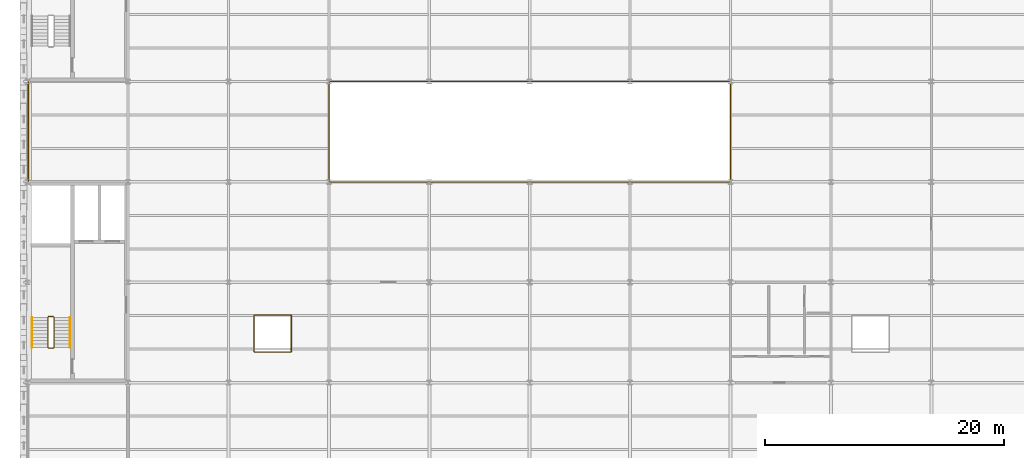
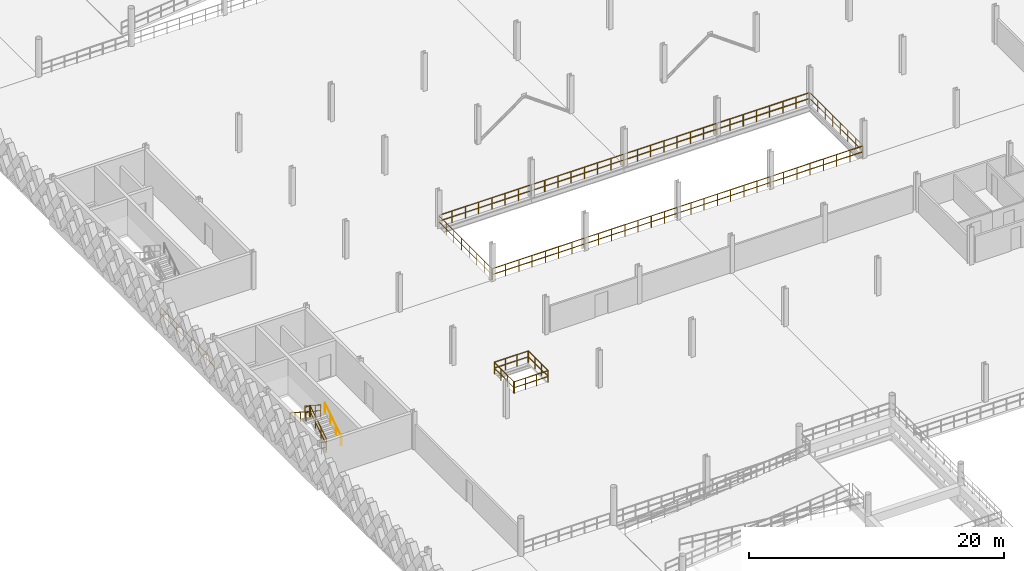
# One storey, part 71 of 79: 15 railings.
"""IFC4 building model written with IfcOpenShell, lengths in metres."""

from ifc_helpers import new_model, si_unit, direction, frame, origin, origin_2d, place, context, subcontext, project, spatial, circle, extrude, material, type_object, element, save


model = new_model("IFC4")

# Units and contexts
model_context = context("Model", 3, precision=1e-05, world=origin(), true_north=direction((0.0, 1.0)))
body_context = subcontext(model_context, "Body", "Model", "MODEL_VIEW")
ifc_project = project(units=[si_unit("LENGTHUNIT", "METRE"), si_unit("AREAUNIT", "SQUARE_METRE"), si_unit("VOLUMEUNIT", "CUBIC_METRE"), si_unit("PLANEANGLEUNIT", "RADIAN"), si_unit("MASSUNIT", "GRAM", prefix="KILO"), si_unit("THERMODYNAMICTEMPERATUREUNIT", "KELVIN"), si_unit("POWERUNIT", "WATT")], contexts=[model_context])

# Site, building, storey
site_placement = place(None, origin())
site = spatial("IfcSite", under=ifc_project, at=site_placement, CompositionType="ELEMENT")
building_placement = place(site_placement, origin())
building = spatial("IfcBuilding", under=site, at=building_placement, Name="Tembeka Court Mobility Hub", CompositionType="ELEMENT")
storey_placement = place(building_placement, frame((0.0, 0.0, 9.0)))
storey = spatial("IfcBuildingStorey", under=building, at=storey_placement, Name="L02", CompositionType="ELEMENT", Elevation=9.0)

# Railings
ifc_material_1 = material(Name="Painted galvanised steel balustrade", Category="steel")
railing_type_1 = type_object("IfcRailingType", Name="RL-GR01", PredefinedType="GUARDRAIL", material=ifc_material_1)
railing_1_placement = place(storey_placement, frame((18.97998046875, 40.949951171875, 0.0)))
element("IfcRailing", 1, at=railing_1_placement, inside=storey, type_object=railing_type_1, Name="Perimeter guard GR01-0075", PredefinedType="GUARDRAIL", context=body_context, shape_type="SweptSolid", body=[
    extrude(circle(Radius=0.02392578125, at=origin_2d()), frame((0.0, 0.0, 1.09619140625), z_axis=(1.0, 0.0, 0.0), x_axis=(0.0, 1.0, 0.0)), (0.0, 0.0, 1.0), 3.0400390625),
    extrude(circle(Radius=0.02392578125, at=origin_2d()), frame((0.0, 0.0, 0.5361328125), z_axis=(1.0, 0.0, 0.0), x_axis=(0.0, 1.0, 0.0)), (0.0, 0.0, 1.0), 3.0400390625),
    extrude(circle(Radius=0.02099609375, at=origin_2d()), origin(), (0.0, 0.0, 1.0), 1.072021484375),
    extrude(circle(Radius=0.02099609375, at=origin_2d()), frame((1.013427734375, 0.0, 0.0)), (0.0, 0.0, 1.0), 1.072021484375),
    extrude(circle(Radius=0.02099609375, at=origin_2d()), frame((2.026611328125, 0.0, 0.0)), (0.0, 0.0, 1.0), 1.072021484375),
    extrude(circle(Radius=0.02099609375, at=origin_2d()), frame((3.0400390625, 0.0, 0.0)), (0.0, 0.0, 1.0), 1.072021484375),
])
railing_2_placement = place(storey_placement, frame((22.050048828125, 40.97998046875, 0.0)))
element("IfcRailing", 2, at=railing_2_placement, inside=storey, type_object=railing_type_1, Name="Perimeter guard GR01-0076", PredefinedType="GUARDRAIL", context=body_context, shape_type="SweptSolid", body=[
    extrude(circle(Radius=0.02392578125, at=origin_2d()), frame((0.0, 0.0, 1.09619140625), z_axis=(0.0, 1.0, 0.0), x_axis=(-1.0, 0.0, 0.0)), (0.0, 0.0, 1.0), 3.0400390625),
    extrude(circle(Radius=0.02392578125, at=origin_2d()), frame((0.0, 0.0, 0.5361328125), z_axis=(0.0, 1.0, 0.0), x_axis=(-1.0, 0.0, 0.0)), (0.0, 0.0, 1.0), 3.0400390625),
    extrude(circle(Radius=0.02099609375, at=origin_2d()), origin(), (0.0, 0.0, 1.0), 1.072021484375),
    extrude(circle(Radius=0.02099609375, at=origin_2d()), frame((0.0, 1.013427734375, 0.0)), (0.0, 0.0, 1.0), 1.072021484375),
    extrude(circle(Radius=0.02099609375, at=origin_2d()), frame((0.0, 2.026611328125, 0.0)), (0.0, 0.0, 1.0), 1.072021484375),
    extrude(circle(Radius=0.02099609375, at=origin_2d()), frame((0.0, 3.0400390625, 0.0)), (0.0, 0.0, 1.0), 1.072021484375),
])
railing_3_placement = place(storey_placement, frame((22.02001953125, 44.050048828125, 0.0)))
element("IfcRailing", 3, at=railing_3_placement, inside=storey, type_object=railing_type_1, Name="Perimeter guard GR01-0077", PredefinedType="GUARDRAIL", context=body_context, shape_type="SweptSolid", body=[
    extrude(circle(Radius=0.02392578125, at=origin_2d()), frame((0.0, 0.0, 1.09619140625), z_axis=(-1.0, 0.0, 0.0), x_axis=(0.0, -1.0, 0.0)), (0.0, 0.0, 1.0), 3.0400390625),
    extrude(circle(Radius=0.02392578125, at=origin_2d()), frame((0.0, 0.0, 0.5361328125), z_axis=(-1.0, 0.0, 0.0), x_axis=(0.0, -1.0, 0.0)), (0.0, 0.0, 1.0), 3.0400390625),
    extrude(circle(Radius=0.02099609375, at=origin_2d()), origin(), (0.0, 0.0, 1.0), 1.072021484375),
    extrude(circle(Radius=0.02099609375, at=origin_2d()), frame((-1.013427734375, 0.0, 0.0)), (0.0, 0.0, 1.0), 1.072021484375),
    extrude(circle(Radius=0.02099609375, at=origin_2d()), frame((-2.026611328125, 0.0, 0.0)), (0.0, 0.0, 1.0), 1.072021484375),
    extrude(circle(Radius=0.02099609375, at=origin_2d()), frame((-3.0400390625, 0.0, 0.0)), (0.0, 0.0, 1.0), 1.072021484375),
])
railing_4_placement = place(storey_placement, frame((18.949951171875, 44.02001953125, 0.0)))
element("IfcRailing", 4, at=railing_4_placement, inside=storey, type_object=railing_type_1, Name="Perimeter guard GR01-0078", PredefinedType="GUARDRAIL", context=body_context, shape_type="SweptSolid", body=[
    extrude(circle(Radius=0.02392578125, at=origin_2d()), frame((0.0, 0.0, 1.09619140625), z_axis=(0.0, -1.0, 0.0), x_axis=(1.0, 0.0, 0.0)), (0.0, 0.0, 1.0), 3.0400390625),
    extrude(circle(Radius=0.02392578125, at=origin_2d()), frame((0.0, 0.0, 0.5361328125), z_axis=(0.0, -1.0, 0.0), x_axis=(1.0, 0.0, 0.0)), (0.0, 0.0, 1.0), 3.0400390625),
    extrude(circle(Radius=0.02099609375, at=origin_2d()), origin(), (0.0, 0.0, 1.0), 1.072021484375),
    extrude(circle(Radius=0.02099609375, at=origin_2d()), frame((0.0, -1.013427734375, 0.0)), (0.0, 0.0, 1.0), 1.072021484375),
    extrude(circle(Radius=0.02099609375, at=origin_2d()), frame((0.0, -2.026611328125, 0.0)), (0.0, 0.0, 1.0), 1.072021484375),
    extrude(circle(Radius=0.02099609375, at=origin_2d()), frame((0.0, -3.0400390625, 0.0)), (0.0, 0.0, 1.0), 1.072021484375),
])
railing_5_placement = place(storey_placement, frame((2.199951171875, 41.35009765625, 0.179931640625)))
element("IfcRailing", 5, at=railing_5_placement, inside=storey, type_object=railing_type_1, Name="L02 ST01 stair guard 1-1", PredefinedType="GUARDRAIL", context=body_context, shape_type="SweptSolid", body=[
    extrude(circle(Radius=0.02392578125, at=origin_2d()), frame((0.0, 0.0, 1.09619140625), z_axis=(0.0, 0.841162588446, 0.540782303519), x_axis=(-1.0, 0.0, 0.0)), (0.0, 0.0, 1.0), 2.995849609375),
    extrude(circle(Radius=0.02392578125, at=origin_2d()), frame((0.0, 0.0, 0.5361328125), z_axis=(0.0, 0.841162588446, 0.540782303519), x_axis=(-1.0, 0.0, 0.0)), (0.0, 0.0, 1.0), 2.995849609375),
    extrude(circle(Radius=0.02099609375, at=origin_2d()), origin(), (0.0, 0.0, 1.0), 1.072021484375),
    extrude(circle(Radius=0.02099609375, at=origin_2d()), frame((0.0, 0.840087890625, 0.5400390625)), (0.0, 0.0, 1.0), 1.072021484375),
    extrude(circle(Radius=0.02099609375, at=origin_2d()), frame((0.0, 1.679931640625, 1.080078125)), (0.0, 0.0, 1.0), 1.072021484375),
    extrude(circle(Radius=0.02099609375, at=origin_2d()), frame((0.0, 2.52001953125, 1.6201171875)), (0.0, 0.0, 1.0), 1.072021484375),
])
railing_6_placement = place(storey_placement, frame((2.14990234375, 43.919921875, 1.800048828125)))
element("IfcRailing", 6, at=railing_6_placement, inside=storey, type_object=railing_type_1, Name="L02 ST01 stair guard 2-1", PredefinedType="GUARDRAIL", context=body_context, shape_type="SweptSolid", body=[
    extrude(circle(Radius=0.02392578125, at=origin_2d()), frame((0.0, 0.0, 1.09619140625), z_axis=(-1.0, 0.0, 0.0), x_axis=(0.0, -1.0, 0.0)), (0.0, 0.0, 1.0), 0.39990234375),
    extrude(circle(Radius=0.02392578125, at=origin_2d()), frame((0.0, 0.0, 0.5361328125), z_axis=(-1.0, 0.0, 0.0), x_axis=(0.0, -1.0, 0.0)), (0.0, 0.0, 1.0), 0.39990234375),
    extrude(circle(Radius=0.02099609375, at=origin_2d()), origin(), (0.0, 0.0, 1.0), 1.072021484375),
    extrude(circle(Radius=0.02099609375, at=origin_2d()), frame((-0.39990234375, 0.0, 0.0)), (0.0, 0.0, 1.0), 1.072021484375),
])
railing_7_placement = place(storey_placement, frame((1.699951171875, 43.8701171875, 1.97998046875)))
element("IfcRailing", 7, at=railing_7_placement, inside=storey, type_object=railing_type_1, Name="L02 ST01 stair guard 3-1", PredefinedType="GUARDRAIL", context=body_context, shape_type="SweptSolid", body=[
    extrude(circle(Radius=0.02392578125, at=origin_2d()), frame((0.0, 0.0, 1.09619140625), z_axis=(0.0, -0.841162588446, 0.540782303519), x_axis=(1.0, 0.0, 0.0)), (0.0, 0.0, 1.0), 2.995849609375),
    extrude(circle(Radius=0.02392578125, at=origin_2d()), frame((0.0, 0.0, 0.5361328125), z_axis=(0.0, -0.841162588446, 0.540782303519), x_axis=(1.0, 0.0, 0.0)), (0.0, 0.0, 1.0), 2.995849609375),
    extrude(circle(Radius=0.02099609375, at=origin_2d()), origin(), (0.0, 0.0, 1.0), 1.072021484375),
    extrude(circle(Radius=0.02099609375, at=origin_2d()), frame((0.0, -0.840087890625, 0.5400390625)), (0.0, 0.0, 1.0), 1.072021484375),
    extrude(circle(Radius=0.02099609375, at=origin_2d()), frame((0.0, -1.679931640625, 1.080078125)), (0.0, 0.0, 1.0), 1.072021484375),
    extrude(circle(Radius=0.02099609375, at=origin_2d()), frame((0.0, -2.52001953125, 1.6201171875)), (0.0, 0.0, 1.0), 1.072021484375),
])
railing_8_placement = place(storey_placement, frame((2.14990234375, 41.300048828125, 0.0)))
element("IfcRailing", 8, at=railing_8_placement, inside=storey, type_object=railing_type_1, Name="L02 ST01 stair guard 4-1", PredefinedType="GUARDRAIL", context=body_context, shape_type="SweptSolid", body=[
    extrude(circle(Radius=0.02392578125, at=origin_2d()), frame((0.0, 0.0, 1.09619140625), z_axis=(-1.0, 0.0, 0.0), x_axis=(0.0, -1.0, 0.0)), (0.0, 0.0, 1.0), 0.39990234375),
    extrude(circle(Radius=0.02392578125, at=origin_2d()), frame((0.0, 0.0, 0.5361328125), z_axis=(-1.0, 0.0, 0.0), x_axis=(0.0, -1.0, 0.0)), (0.0, 0.0, 1.0), 0.39990234375),
    extrude(circle(Radius=0.02099609375, at=origin_2d()), origin(), (0.0, 0.0, 1.0), 1.072021484375),
    extrude(circle(Radius=0.02099609375, at=origin_2d()), frame((-0.39990234375, 0.0, 0.0)), (0.0, 0.0, 1.0), 1.072021484375),
])
railing_type_2 = type_object("IfcRailingType", Name="RL-GR02", PredefinedType="GUARDRAIL", material=ifc_material_1)
railing_9_placement = place(storey_placement, frame((25.22998046875, 55.199951171875, 0.0)))
element("IfcRailing", 9, at=railing_9_placement, inside=storey, type_object=railing_type_2, Name="Perimeter guard GR02-0071", PredefinedType="GUARDRAIL", context=body_context, shape_type="SweptSolid", body=[
    extrude(circle(Radius=0.02392578125, at=origin_2d()), frame((0.0, 0.0, 1.09619140625), z_axis=(1.0, 0.0, 0.0), x_axis=(0.0, 1.0, 0.0)), (0.0, 0.0, 1.0), 33.5400390625),
    extrude(circle(Radius=0.02392578125, at=origin_2d()), frame((0.0, 0.0, 0.5361328125), z_axis=(1.0, 0.0, 0.0), x_axis=(0.0, 1.0, 0.0)), (0.0, 0.0, 1.0), 33.5400390625),
    extrude(circle(Radius=0.02099609375, at=origin_2d()), origin(), (0.0, 0.0, 1.0), 1.072021484375),
    extrude(circle(Radius=0.02099609375, at=origin_2d()), frame((1.19775390625, 0.0, 0.0)), (0.0, 0.0, 1.0), 1.072021484375),
    extrude(circle(Radius=0.02099609375, at=origin_2d()), frame((2.395751953125, 0.0, 0.0)), (0.0, 0.0, 1.0), 1.072021484375),
    extrude(circle(Radius=0.02099609375, at=origin_2d()), frame((3.593505859375, 0.0, 0.0)), (0.0, 0.0, 1.0), 1.072021484375),
    extrude(circle(Radius=0.02099609375, at=origin_2d()), frame((4.79150390625, 0.0, 0.0)), (0.0, 0.0, 1.0), 1.072021484375),
    extrude(circle(Radius=0.02099609375, at=origin_2d()), frame((5.9892578125, 0.0, 0.0)), (0.0, 0.0, 1.0), 1.072021484375),
    extrude(circle(Radius=0.02099609375, at=origin_2d()), frame((7.187255859375, 0.0, 0.0)), (0.0, 0.0, 1.0), 1.072021484375),
    extrude(circle(Radius=0.02099609375, at=origin_2d()), frame((8.385009765625, 0.0, 0.0)), (0.0, 0.0, 1.0), 1.072021484375),
    extrude(circle(Radius=0.02099609375, at=origin_2d()), frame((9.582763671875, 0.0, 0.0)), (0.0, 0.0, 1.0), 1.072021484375),
    extrude(circle(Radius=0.02099609375, at=origin_2d()), frame((10.78076171875, 0.0, 0.0)), (0.0, 0.0, 1.0), 1.072021484375),
    extrude(circle(Radius=0.02099609375, at=origin_2d()), frame((11.978515625, 0.0, 0.0)), (0.0, 0.0, 1.0), 1.072021484375),
    extrude(circle(Radius=0.02099609375, at=origin_2d()), frame((13.176513671875, 0.0, 0.0)), (0.0, 0.0, 1.0), 1.072021484375),
    extrude(circle(Radius=0.02099609375, at=origin_2d()), frame((14.374267578125, 0.0, 0.0)), (0.0, 0.0, 1.0), 1.072021484375),
    extrude(circle(Radius=0.02099609375, at=origin_2d()), frame((15.572265625, 0.0, 0.0)), (0.0, 0.0, 1.0), 1.072021484375),
    extrude(circle(Radius=0.02099609375, at=origin_2d()), frame((16.77001953125, 0.0, 0.0)), (0.0, 0.0, 1.0), 1.072021484375),
    extrude(circle(Radius=0.02099609375, at=origin_2d()), frame((17.9677734375, 0.0, 0.0)), (0.0, 0.0, 1.0), 1.072021484375),
    extrude(circle(Radius=0.02099609375, at=origin_2d()), frame((19.165771484375, 0.0, 0.0)), (0.0, 0.0, 1.0), 1.072021484375),
    extrude(circle(Radius=0.02099609375, at=origin_2d()), frame((20.363525390625, 0.0, 0.0)), (0.0, 0.0, 1.0), 1.072021484375),
    extrude(circle(Radius=0.02099609375, at=origin_2d()), frame((21.5615234375, 0.0, 0.0)), (0.0, 0.0, 1.0), 1.072021484375),
    extrude(circle(Radius=0.02099609375, at=origin_2d()), frame((22.75927734375, 0.0, 0.0)), (0.0, 0.0, 1.0), 1.072021484375),
    extrude(circle(Radius=0.02099609375, at=origin_2d()), frame((23.957275390625, 0.0, 0.0)), (0.0, 0.0, 1.0), 1.072021484375),
    extrude(circle(Radius=0.02099609375, at=origin_2d()), frame((25.155029296875, 0.0, 0.0)), (0.0, 0.0, 1.0), 1.072021484375),
    extrude(circle(Radius=0.02099609375, at=origin_2d()), frame((26.352783203125, 0.0, 0.0)), (0.0, 0.0, 1.0), 1.072021484375),
    extrude(circle(Radius=0.02099609375, at=origin_2d()), frame((27.55078125, 0.0, 0.0)), (0.0, 0.0, 1.0), 1.072021484375),
    extrude(circle(Radius=0.02099609375, at=origin_2d()), frame((28.74853515625, 0.0, 0.0)), (0.0, 0.0, 1.0), 1.072021484375),
    extrude(circle(Radius=0.02099609375, at=origin_2d()), frame((29.946533203125, 0.0, 0.0)), (0.0, 0.0, 1.0), 1.072021484375),
    extrude(circle(Radius=0.02099609375, at=origin_2d()), frame((31.144287109375, 0.0, 0.0)), (0.0, 0.0, 1.0), 1.072021484375),
    extrude(circle(Radius=0.02099609375, at=origin_2d()), frame((32.34228515625, 0.0, 0.0)), (0.0, 0.0, 1.0), 1.072021484375),
    extrude(circle(Radius=0.02099609375, at=origin_2d()), frame((33.5400390625, 0.0, 0.0)), (0.0, 0.0, 1.0), 1.072021484375),
])
railing_10_placement = place(storey_placement, frame((58.800048828125, 55.22998046875, 0.0)))
element("IfcRailing", 10, at=railing_10_placement, inside=storey, type_object=railing_type_2, Name="Perimeter guard GR02-0072", PredefinedType="GUARDRAIL", context=body_context, shape_type="SweptSolid", body=[
    extrude(circle(Radius=0.02392578125, at=origin_2d()), frame((0.0, 0.0, 1.09619140625), z_axis=(0.0, 1.0, 0.0), x_axis=(-1.0, 0.0, 0.0)), (0.0, 0.0, 1.0), 8.340087890625),
    extrude(circle(Radius=0.02392578125, at=origin_2d()), frame((0.0, 0.0, 0.5361328125), z_axis=(0.0, 1.0, 0.0), x_axis=(-1.0, 0.0, 0.0)), (0.0, 0.0, 1.0), 8.340087890625),
    extrude(circle(Radius=0.02099609375, at=origin_2d()), origin(), (0.0, 0.0, 1.0), 1.072021484375),
    extrude(circle(Radius=0.02099609375, at=origin_2d()), frame((0.0, 1.19140625, 0.0)), (0.0, 0.0, 1.0), 1.072021484375),
    extrude(circle(Radius=0.02099609375, at=origin_2d()), frame((0.0, 2.3828125, 0.0)), (0.0, 0.0, 1.0), 1.072021484375),
    extrude(circle(Radius=0.02099609375, at=origin_2d()), frame((0.0, 3.57421875, 0.0)), (0.0, 0.0, 1.0), 1.072021484375),
    extrude(circle(Radius=0.02099609375, at=origin_2d()), frame((0.0, 4.765869140625, 0.0)), (0.0, 0.0, 1.0), 1.072021484375),
    extrude(circle(Radius=0.02099609375, at=origin_2d()), frame((0.0, 5.957275390625, 0.0)), (0.0, 0.0, 1.0), 1.072021484375),
    extrude(circle(Radius=0.02099609375, at=origin_2d()), frame((0.0, 7.148681640625, 0.0)), (0.0, 0.0, 1.0), 1.072021484375),
    extrude(circle(Radius=0.02099609375, at=origin_2d()), frame((0.0, 8.340087890625, 0.0)), (0.0, 0.0, 1.0), 1.072021484375),
])
railing_11_placement = place(storey_placement, frame((58.77001953125, 63.60009765625, 0.0)))
element("IfcRailing", 11, at=railing_11_placement, inside=storey, type_object=railing_type_2, Name="Perimeter guard GR02-0073", PredefinedType="GUARDRAIL", context=body_context, shape_type="SweptSolid", body=[
    extrude(circle(Radius=0.02392578125, at=origin_2d()), frame((0.0, 0.0, 1.09619140625), z_axis=(-1.0, 0.0, 0.0), x_axis=(0.0, -1.0, 0.0)), (0.0, 0.0, 1.0), 33.5400390625),
    extrude(circle(Radius=0.02392578125, at=origin_2d()), frame((0.0, 0.0, 0.5361328125), z_axis=(-1.0, 0.0, 0.0), x_axis=(0.0, -1.0, 0.0)), (0.0, 0.0, 1.0), 33.5400390625),
    extrude(circle(Radius=0.02099609375, at=origin_2d()), origin(), (0.0, 0.0, 1.0), 1.072021484375),
    extrude(circle(Radius=0.02099609375, at=origin_2d()), frame((-1.19775390625, 0.0, 0.0)), (0.0, 0.0, 1.0), 1.072021484375),
    extrude(circle(Radius=0.02099609375, at=origin_2d()), frame((-2.395751953125, 0.0, 0.0)), (0.0, 0.0, 1.0), 1.072021484375),
    extrude(circle(Radius=0.02099609375, at=origin_2d()), frame((-3.593505859375, 0.0, 0.0)), (0.0, 0.0, 1.0), 1.072021484375),
    extrude(circle(Radius=0.02099609375, at=origin_2d()), frame((-4.79150390625, 0.0, 0.0)), (0.0, 0.0, 1.0), 1.072021484375),
    extrude(circle(Radius=0.02099609375, at=origin_2d()), frame((-5.9892578125, 0.0, 0.0)), (0.0, 0.0, 1.0), 1.072021484375),
    extrude(circle(Radius=0.02099609375, at=origin_2d()), frame((-7.187255859375, 0.0, 0.0)), (0.0, 0.0, 1.0), 1.072021484375),
    extrude(circle(Radius=0.02099609375, at=origin_2d()), frame((-8.385009765625, 0.0, 0.0)), (0.0, 0.0, 1.0), 1.072021484375),
    extrude(circle(Radius=0.02099609375, at=origin_2d()), frame((-9.582763671875, 0.0, 0.0)), (0.0, 0.0, 1.0), 1.072021484375),
    extrude(circle(Radius=0.02099609375, at=origin_2d()), frame((-10.78076171875, 0.0, 0.0)), (0.0, 0.0, 1.0), 1.072021484375),
    extrude(circle(Radius=0.02099609375, at=origin_2d()), frame((-11.978515625, 0.0, 0.0)), (0.0, 0.0, 1.0), 1.072021484375),
    extrude(circle(Radius=0.02099609375, at=origin_2d()), frame((-13.176513671875, 0.0, 0.0)), (0.0, 0.0, 1.0), 1.072021484375),
    extrude(circle(Radius=0.02099609375, at=origin_2d()), frame((-14.374267578125, 0.0, 0.0)), (0.0, 0.0, 1.0), 1.072021484375),
    extrude(circle(Radius=0.02099609375, at=origin_2d()), frame((-15.572265625, 0.0, 0.0)), (0.0, 0.0, 1.0), 1.072021484375),
    extrude(circle(Radius=0.02099609375, at=origin_2d()), frame((-16.77001953125, 0.0, 0.0)), (0.0, 0.0, 1.0), 1.072021484375),
    extrude(circle(Radius=0.02099609375, at=origin_2d()), frame((-17.9677734375, 0.0, 0.0)), (0.0, 0.0, 1.0), 1.072021484375),
    extrude(circle(Radius=0.02099609375, at=origin_2d()), frame((-19.165771484375, 0.0, 0.0)), (0.0, 0.0, 1.0), 1.072021484375),
    extrude(circle(Radius=0.02099609375, at=origin_2d()), frame((-20.363525390625, 0.0, 0.0)), (0.0, 0.0, 1.0), 1.072021484375),
    extrude(circle(Radius=0.02099609375, at=origin_2d()), frame((-21.5615234375, 0.0, 0.0)), (0.0, 0.0, 1.0), 1.072021484375),
    extrude(circle(Radius=0.02099609375, at=origin_2d()), frame((-22.75927734375, 0.0, 0.0)), (0.0, 0.0, 1.0), 1.072021484375),
    extrude(circle(Radius=0.02099609375, at=origin_2d()), frame((-23.957275390625, 0.0, 0.0)), (0.0, 0.0, 1.0), 1.072021484375),
    extrude(circle(Radius=0.02099609375, at=origin_2d()), frame((-25.155029296875, 0.0, 0.0)), (0.0, 0.0, 1.0), 1.072021484375),
    extrude(circle(Radius=0.02099609375, at=origin_2d()), frame((-26.352783203125, 0.0, 0.0)), (0.0, 0.0, 1.0), 1.072021484375),
    extrude(circle(Radius=0.02099609375, at=origin_2d()), frame((-27.55078125, 0.0, 0.0)), (0.0, 0.0, 1.0), 1.072021484375),
    extrude(circle(Radius=0.02099609375, at=origin_2d()), frame((-28.74853515625, 0.0, 0.0)), (0.0, 0.0, 1.0), 1.072021484375),
    extrude(circle(Radius=0.02099609375, at=origin_2d()), frame((-29.946533203125, 0.0, 0.0)), (0.0, 0.0, 1.0), 1.072021484375),
    extrude(circle(Radius=0.02099609375, at=origin_2d()), frame((-31.144287109375, 0.0, 0.0)), (0.0, 0.0, 1.0), 1.072021484375),
    extrude(circle(Radius=0.02099609375, at=origin_2d()), frame((-32.34228515625, 0.0, 0.0)), (0.0, 0.0, 1.0), 1.072021484375),
    extrude(circle(Radius=0.02099609375, at=origin_2d()), frame((-33.5400390625, 0.0, 0.0)), (0.0, 0.0, 1.0), 1.072021484375),
])
railing_12_placement = place(storey_placement, frame((25.199951171875, 63.570068359375, 0.0)))
element("IfcRailing", 12, at=railing_12_placement, inside=storey, type_object=railing_type_2, Name="Perimeter guard GR02-0074", PredefinedType="GUARDRAIL", context=body_context, shape_type="SweptSolid", body=[
    extrude(circle(Radius=0.02392578125, at=origin_2d()), frame((0.0, 0.0, 1.09619140625), z_axis=(0.0, -1.0, 0.0), x_axis=(1.0, 0.0, 0.0)), (0.0, 0.0, 1.0), 8.340087890625),
    extrude(circle(Radius=0.02392578125, at=origin_2d()), frame((0.0, 0.0, 0.5361328125), z_axis=(0.0, -1.0, 0.0), x_axis=(1.0, 0.0, 0.0)), (0.0, 0.0, 1.0), 8.340087890625),
    extrude(circle(Radius=0.02099609375, at=origin_2d()), origin(), (0.0, 0.0, 1.0), 1.072021484375),
    extrude(circle(Radius=0.02099609375, at=origin_2d()), frame((0.0, -1.19140625, 0.0)), (0.0, 0.0, 1.0), 1.072021484375),
    extrude(circle(Radius=0.02099609375, at=origin_2d()), frame((0.0, -2.3828125, 0.0)), (0.0, 0.0, 1.0), 1.072021484375),
    extrude(circle(Radius=0.02099609375, at=origin_2d()), frame((0.0, -3.57421875, 0.0)), (0.0, 0.0, 1.0), 1.072021484375),
    extrude(circle(Radius=0.02099609375, at=origin_2d()), frame((0.0, -4.765869140625, 0.0)), (0.0, 0.0, 1.0), 1.072021484375),
    extrude(circle(Radius=0.02099609375, at=origin_2d()), frame((0.0, -5.957275390625, 0.0)), (0.0, 0.0, 1.0), 1.072021484375),
    extrude(circle(Radius=0.02099609375, at=origin_2d()), frame((0.0, -7.148681640625, 0.0)), (0.0, 0.0, 1.0), 1.072021484375),
    extrude(circle(Radius=0.02099609375, at=origin_2d()), frame((0.0, -8.340087890625, 0.0)), (0.0, 0.0, 1.0), 1.072021484375),
])
railing_13_placement = place(storey_placement, frame((0.050048828125, 55.22998046875, 0.0)))
element("IfcRailing", 13, at=railing_13_placement, inside=storey, type_object=railing_type_2, Name="Perimeter guard GR02-0094", PredefinedType="GUARDRAIL", context=body_context, shape_type="SweptSolid", body=[
    extrude(circle(Radius=0.02392578125, at=origin_2d()), frame((0.0, 0.0, 1.09619140625), z_axis=(0.0, 1.0, 0.0), x_axis=(-1.0, 0.0, 0.0)), (0.0, 0.0, 1.0), 8.340087890625),
    extrude(circle(Radius=0.02392578125, at=origin_2d()), frame((0.0, 0.0, 0.5361328125), z_axis=(0.0, 1.0, 0.0), x_axis=(-1.0, 0.0, 0.0)), (0.0, 0.0, 1.0), 8.340087890625),
    extrude(circle(Radius=0.02099609375, at=origin_2d()), origin(), (0.0, 0.0, 1.0), 1.072021484375),
    extrude(circle(Radius=0.02099609375, at=origin_2d()), frame((0.0, 1.19140625, 0.0)), (0.0, 0.0, 1.0), 1.072021484375),
    extrude(circle(Radius=0.02099609375, at=origin_2d()), frame((0.0, 2.3828125, 0.0)), (0.0, 0.0, 1.0), 1.072021484375),
    extrude(circle(Radius=0.02099609375, at=origin_2d()), frame((0.0, 3.57421875, 0.0)), (0.0, 0.0, 1.0), 1.072021484375),
    extrude(circle(Radius=0.02099609375, at=origin_2d()), frame((0.0, 4.765869140625, 0.0)), (0.0, 0.0, 1.0), 1.072021484375),
    extrude(circle(Radius=0.02099609375, at=origin_2d()), frame((0.0, 5.957275390625, 0.0)), (0.0, 0.0, 1.0), 1.072021484375),
    extrude(circle(Radius=0.02099609375, at=origin_2d()), frame((0.0, 7.148681640625, 0.0)), (0.0, 0.0, 1.0), 1.072021484375),
    extrude(circle(Radius=0.02099609375, at=origin_2d()), frame((0.0, 8.340087890625, 0.0)), (0.0, 0.0, 1.0), 1.072021484375),
])
ifc_material_2 = material(Name="Brushed stainless steel handrail", Category="steel")
railing_type_3 = type_object("IfcRailingType", Name="RL-HR01", PredefinedType="HANDRAIL", material=ifc_material_2)
railing_14_placement = place(storey_placement, frame((3.550048828125, 41.35009765625, 0.179931640625)))
element("IfcRailing", 14, at=railing_14_placement, inside=storey, type_object=railing_type_3, Name="L02 ST01 handrail 1-1", PredefinedType="HANDRAIL", context=body_context, shape_type="SweptSolid", body=[
    extrude(circle(Radius=0.02392578125, at=origin_2d()), frame((0.0, 0.0, 0.89599609375), z_axis=(0.0, 0.841162588446, 0.540782303519), x_axis=(-1.0, 0.0, 0.0)), (0.0, 0.0, 1.0), 2.995849609375),
    extrude(circle(Radius=0.02099609375, at=origin_2d()), origin(), (0.0, 0.0, 1.0), 0.871826171875),
    extrude(circle(Radius=0.02099609375, at=origin_2d()), frame((0.0, 0.840087890625, 0.5400390625)), (0.0, 0.0, 1.0), 0.871826171875),
    extrude(circle(Radius=0.02099609375, at=origin_2d()), frame((0.0, 1.679931640625, 1.080078125)), (0.0, 0.0, 1.0), 0.871826171875),
    extrude(circle(Radius=0.02099609375, at=origin_2d()), frame((0.0, 2.52001953125, 1.6201171875)), (0.0, 0.0, 1.0), 0.871826171875),
])
railing_15_placement = place(storey_placement, frame((0.35009765625, 43.8701171875, 1.97998046875)))
element("IfcRailing", 15, at=railing_15_placement, inside=storey, type_object=railing_type_3, Name="L02 ST01 handrail 2-1", PredefinedType="HANDRAIL", context=body_context, shape_type="SweptSolid", body=[
    extrude(circle(Radius=0.02392578125, at=origin_2d()), frame((0.0, 0.0, 0.89599609375), z_axis=(0.0, -0.841162588446, 0.540782303519), x_axis=(1.0, 0.0, 0.0)), (0.0, 0.0, 1.0), 2.995849609375),
    extrude(circle(Radius=0.02099609375, at=origin_2d()), origin(), (0.0, 0.0, 1.0), 0.871826171875),
    extrude(circle(Radius=0.02099609375, at=origin_2d()), frame((0.0, -0.840087890625, 0.5400390625)), (0.0, 0.0, 1.0), 0.871826171875),
    extrude(circle(Radius=0.02099609375, at=origin_2d()), frame((0.0, -1.679931640625, 1.080078125)), (0.0, 0.0, 1.0), 0.871826171875),
    extrude(circle(Radius=0.02099609375, at=origin_2d()), frame((0.0, -2.52001953125, 1.6201171875)), (0.0, 0.0, 1.0), 0.871826171875),
])

save(model, "model.ifc")
